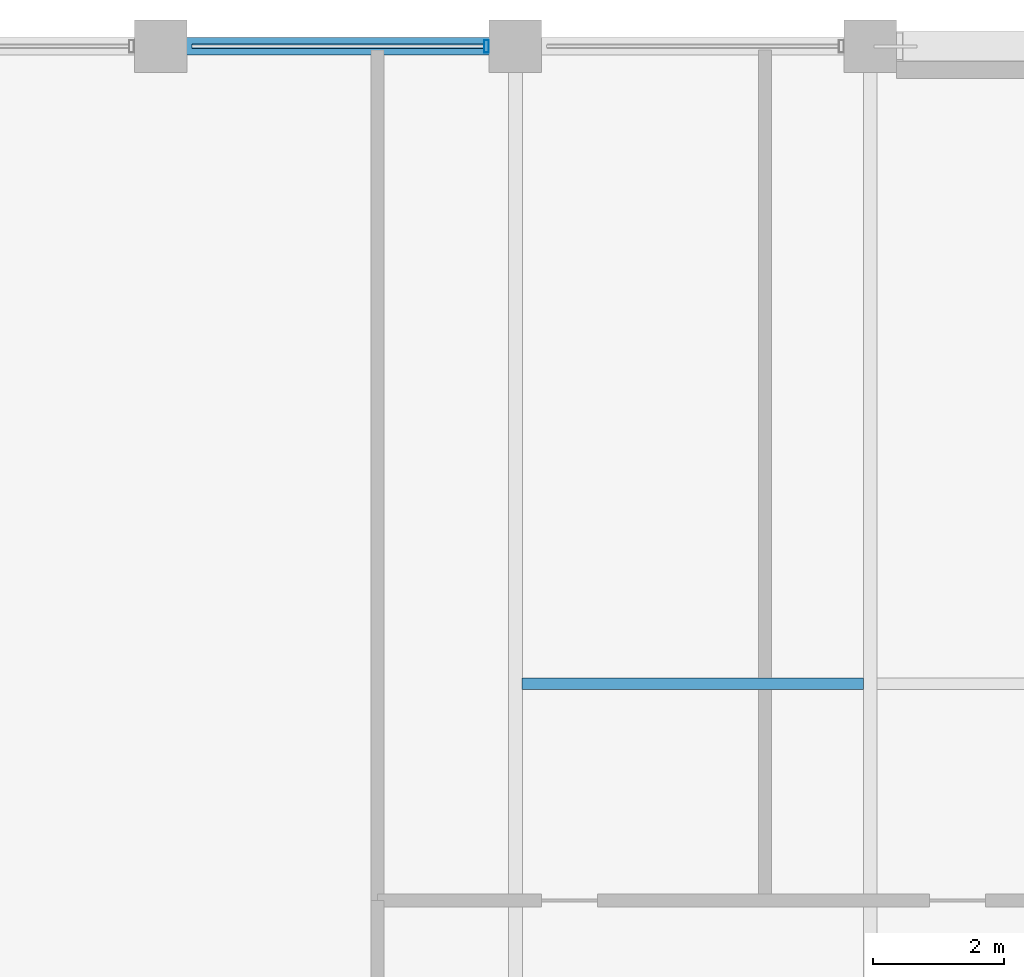
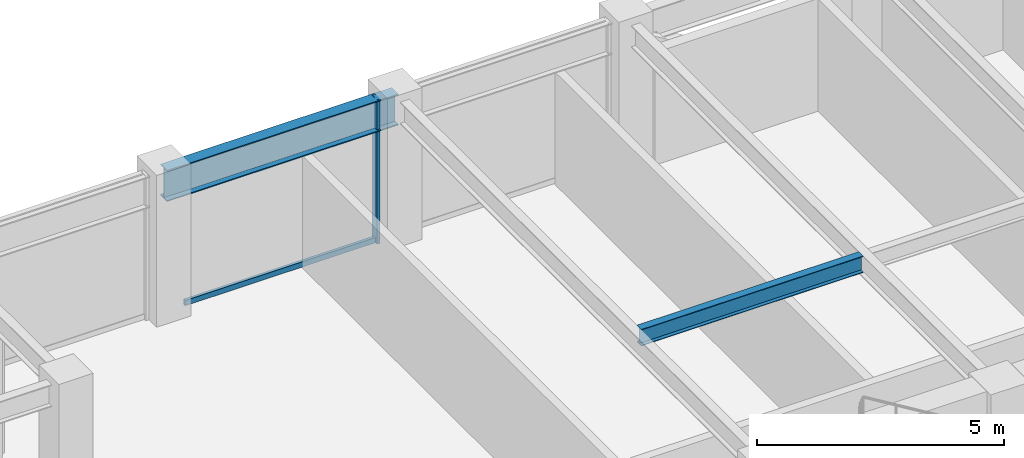
# One storey, part 19 of 32: 2 beams, 2 members, 1 element without a shape of its own.
"""IFC4 building model written with IfcOpenShell, lengths in metres."""

from ifc_helpers import new_model, si_unit, direction, frame, origin, origin_2d, place, context, subcontext, project, spatial, hollow_rectangle, i_section, extrude, material, layer, layer_set, material_profile, profile_set, type_object, element, aggregate, save


model = new_model("IFC4")

# Units and contexts
model_context = context("Model", 3, precision=1e-05, world=origin(), true_north=direction((0.0, 1.0)))
body_context = subcontext(model_context, "Body", "Model", "MODEL_VIEW")
ifc_project = project(units=[si_unit("LENGTHUNIT", "METRE"), si_unit("AREAUNIT", "SQUARE_METRE"), si_unit("VOLUMEUNIT", "CUBIC_METRE"), si_unit("PLANEANGLEUNIT", "RADIAN"), si_unit("MASSUNIT", "GRAM", prefix="KILO")], contexts=[model_context])

# Site, building, storey
site_placement = place(None, origin())
site = spatial("IfcSite", under=ifc_project, at=site_placement, CompositionType="ELEMENT")
building_placement = place(site_placement, origin())
building = spatial("IfcBuilding", under=site, at=building_placement, Name="Surkhivell Harbour Commons", CompositionType="ELEMENT")
storey_placement = place(building_placement, frame((0.0, 0.0, 223.5)))
storey = spatial("IfcBuildingStorey", under=building, at=storey_placement, Name="L58", CompositionType="ELEMENT", Elevation=223.5)

# Beams
ifc_material_1 = material(Name="Steel S355", Category="steel")
ifc_material_profile_1 = material_profile(ifc_material_1, i_section(OverallWidth=0.178955078125, OverallDepth=0.408935546875, WebThickness=0.0087890625, FlangeThickness=0.014404296875, at=origin_2d()), Name="UB406x178x67")
ifc_profile_set_1 = profile_set([ifc_material_profile_1], Name="Steel S355")
beam_type_1 = type_object("IfcBeamType", Name="BM-JST-406", PredefinedType="JOIST", material=ifc_profile_set_1)
beam_1_placement = place(storey_placement, frame((-10.696044921875, 16.199951171875, 3.365478515625), z_axis=(1.0, 0.0, 0.0), x_axis=(0.0, 1.0, 0.0)))
element("IfcBeam", 1, at=beam_1_placement, inside=storey, type_object=beam_type_1, Name="L58 North Composite Joist (-10.8)", PredefinedType="JOIST", context=body_context, shape_type="SweptSolid", body=[
    extrude(i_section(OverallWidth=0.178955078125, OverallDepth=0.408935546875, WebThickness=0.0087890625, FlangeThickness=0.014404296875, at=origin_2d()), origin(), (0.0, 0.0, 1.0), 5.192138671875),
])
ifc_material_profile_2 = material_profile(ifc_material_1, i_section(OverallWidth=0.26806640625, OverallDepth=0.77001953125, WebThickness=0.015625, FlangeThickness=0.025390625, at=origin_2d()), Name="UB762x267x197")
ifc_profile_set_2 = profile_set([ifc_material_profile_2], Name="Steel S355")
beam_type_2 = type_object("IfcBeamType", Name="BM-SPN-762", PredefinedType="SPANDREL", material=ifc_profile_set_2)
beam_2_placement = place(storey_placement, frame((-16.199951171875, 25.89990234375, 3.18505859375), z_axis=(1.0, 0.0, 0.0), x_axis=(0.0, 1.0, 0.0)))
element("IfcBeam", 2, at=beam_2_placement, inside=storey, type_object=beam_type_2, Name="L58 Tube Spandrel (-16.2,25.9)", PredefinedType="SPANDREL", context=body_context, shape_type="SweptSolid", body=[
    extrude(i_section(OverallWidth=0.26806640625, OverallDepth=0.77001953125, WebThickness=0.015625, FlangeThickness=0.025390625, at=origin_2d()), origin(), (0.0, 0.0, 1.0), 5.39990234375),
])

# Curtain wall, members
ifc_material_2 = material(Name="Anodised pale-metal aluminium and insulated glazing", Category="aluminium")
ifc_layer = layer(ifc_material_2, 0.18994140625)
ifc_layer_set = layer_set([ifc_layer], Name="Anodised pale-metal aluminium and insulated glazing")
curtain_wall_type = type_object("IfcCurtainWallType", Name="CW-SYS-Z3", PredefinedType="NOTDEFINED", material=ifc_layer_set)
curtain_wall_placement = place(storey_placement, origin())
curtain_wall = element("IfcCurtainWall", 3, at=curtain_wall_placement, inside=storey, type_object=curtain_wall_type, Name="L58 Curtain Wall CW-L58-E07S2", PredefinedType="NOTDEFINED")
ifc_material_3 = material(Name="Anodised pale-metal aluminium alloy 6063-T6", Category="aluminium")
ifc_material_profile_3 = material_profile(ifc_material_3, hollow_rectangle(XDim=0.074951171875, YDim=0.18994140625, WallThickness=0.00390625, at=origin_2d()), Name="ALU-MULL-75x190")
ifc_profile_set_3 = profile_set([ifc_material_profile_3], Name="Anodised pale-metal aluminium alloy 6063-T6")
member_type_1 = type_object("IfcMemberType", Name="CWM-190", PredefinedType="MULLION", material=ifc_profile_set_3)
member_1_placement = place(storey_placement, frame((-11.239501953125, 25.89990234375, 0.0), z_axis=(0.0, 0.0, 1.0), x_axis=(-1.0, 0.0, 0.0)))
member_1 = element("IfcMember", 4, at=member_1_placement, type_object=member_type_1, Name="CW-Z3 mullion 2", PredefinedType="MULLION", context=body_context, shape_type="SweptSolid", body=[
    extrude(hollow_rectangle(XDim=0.074951171875, YDim=0.18994140625, WallThickness=0.00390625, at=origin_2d()), origin(), (0.0, 0.0, 1.0), 3.570068359375),
])
ifc_material_4 = material(Name="Champagne anodised aluminium alloy 6063-T6", Category="aluminium")
ifc_material_profile_4 = material_profile(ifc_material_4, hollow_rectangle(XDim=0.070068359375, YDim=0.1298828125, WallThickness=0.00341796875, at=origin_2d()), Name="ALU-TRAN-70x130")
ifc_profile_set_4 = profile_set([ifc_material_profile_4], Name="Champagne anodised aluminium alloy 6063-T6")
member_type_2 = type_object("IfcMemberType", Name="CWT-130", PredefinedType="USERDEFINED", material=ifc_profile_set_4)
member_2_placement = place(storey_placement, frame((-11.277099609375, 25.89990234375, 0.06494140625), z_axis=(-1.0, 0.0, 0.0), x_axis=(0.0, -1.0, 0.0)))
member_2 = element("IfcMember", 5, at=member_2_placement, type_object=member_type_2, Name="CW-Z3 transom 2.1", ObjectType="TRANSOM", PredefinedType="USERDEFINED", context=body_context, shape_type="SweptSolid", body=[
    extrude(hollow_rectangle(XDim=0.070068359375, YDim=0.1298828125, WallThickness=0.00341796875, at=origin_2d()), origin(), (0.0, 0.0, 1.0), 4.44580078125),
])
aggregate(curtain_wall, [member_1, member_2])

save(model, "model.ifc")
